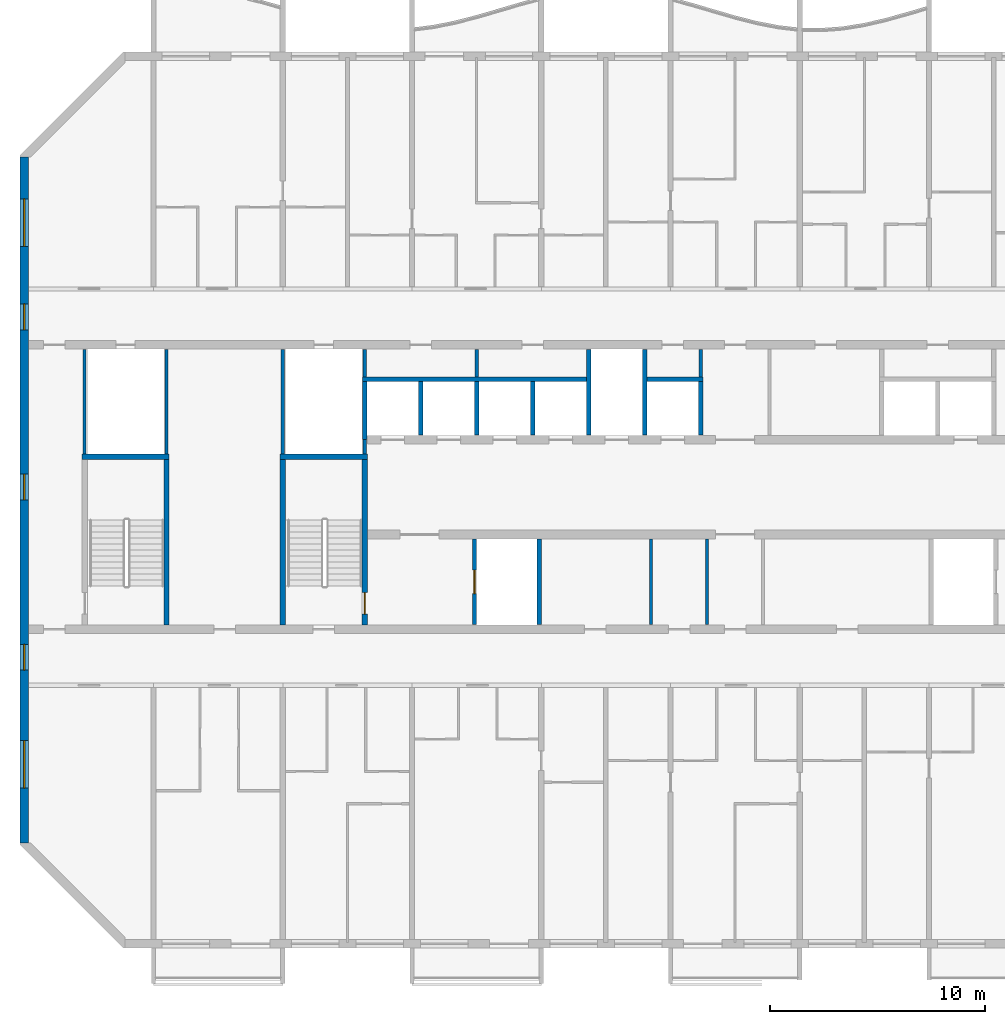
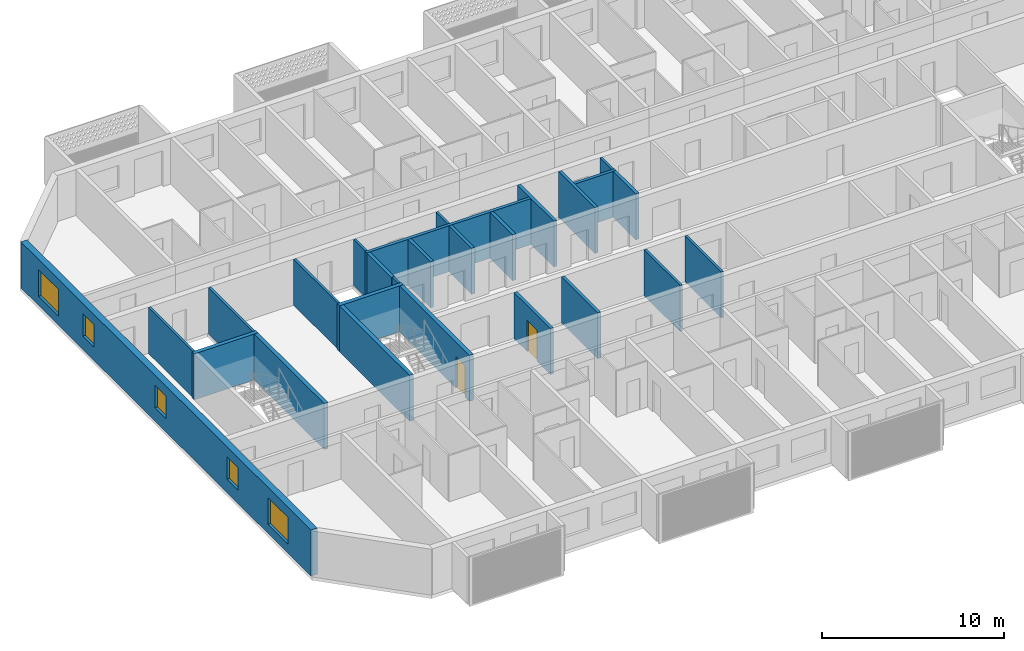
# One storey, part 3 of 26: 26 walls, 5 windows, 2 doors, 7 openings.
"""IFC4 building model written with IfcOpenShell, lengths in metres."""

from ifc_helpers import new_model, si_unit, direction, frame, frame_2d, origin, place, context, subcontext, project, spatial, rectangle, extrude, material, layer, layer_set, type_object, element, fill, save


model = new_model("IFC4")

# Units and contexts
model_context = context("Model", 3, precision=1e-05, world=origin(), true_north=direction((0.0, 1.0)))
body_context = subcontext(model_context, "Body", "Model", "MODEL_VIEW")
ifc_project = project(units=[si_unit("LENGTHUNIT", "METRE"), si_unit("AREAUNIT", "SQUARE_METRE"), si_unit("VOLUMEUNIT", "CUBIC_METRE"), si_unit("PLANEANGLEUNIT", "RADIAN"), si_unit("MASSUNIT", "GRAM", prefix="KILO")], contexts=[model_context])

# Site, building, storey
site_placement = place(None, origin())
site = spatial("IfcSite", under=ifc_project, at=site_placement, CompositionType="ELEMENT")
building_placement = place(site_placement, origin())
building = spatial("IfcBuilding", under=site, at=building_placement, Name="Poui Terraces", CompositionType="ELEMENT")
storey_placement = place(building_placement, frame((0.0, 0.0, 178.5)))
storey = spatial("IfcBuildingStorey", under=building, at=storey_placement, Name="L49", CompositionType="ELEMENT", Elevation=178.5)

# Walls
ifc_material_1 = material(Name="Fire-rated plasterboard wall")
ifc_layer_1 = layer(ifc_material_1, 0.14990234375)
ifc_layer_set_1 = layer_set([ifc_layer_1], Name="Fire-rated plasterboard wall")
wall_type_1 = type_object("IfcWallType", Name="CORRIDOR WALL 150", PredefinedType="PARTITIONING", material=ifc_layer_set_1)
wall_1_placement = place(storey_placement, frame((49.39990234375, 26.300048828125, 0.0), z_axis=(0.0, 0.0, 1.0), x_axis=(0.0, 1.0, 0.0)))
element("IfcWall", 1, at=wall_1_placement, inside=storey, type_object=wall_type_1, Name="CORRIDOR WALL 150", PredefinedType="PARTITIONING", context=body_context, shape_type="SweptSolid", body=[
    extrude(rectangle(XDim=1.2900390625, YDim=0.14990234375, at=frame_2d((0.64501953125, 0.0))), origin(), (0.0, 0.0, 1.0), 3.080078125),
])
wall_2_placement = place(storey_placement, frame((49.699951171875, 14.81005859375, 0.0), z_axis=(0.0, 0.0, 1.0), x_axis=(0.0, 1.0, 0.0)))
element("IfcWall", 2, at=wall_2_placement, inside=storey, type_object=wall_type_1, Name="CORRIDOR WALL 150", PredefinedType="PARTITIONING", context=body_context, shape_type="SweptSolid", body=[
    extrude(rectangle(XDim=3.97998046875, YDim=0.14990234375, at=frame_2d((1.989990234375, 0.0))), origin(), (0.0, 0.0, 1.0), 3.080078125),
])

# Wall, openings, windows
ifc_material_2 = material(Name="Concrete 50 MPa", Category="concrete")
ifc_layer_2 = layer(ifc_material_2, 0.39990234375)
ifc_layer_set_2 = layer_set([ifc_layer_2], Name="Concrete 50 MPa")
wall_type_2 = type_object("IfcWallType", Name="END WALL 400 50MPa", PredefinedType="SHEAR", material=ifc_layer_set_2)
wall_3_placement = place(storey_placement, frame((18.0, 4.682861328125, 0.0), z_axis=(0.0, 0.0, 1.0), x_axis=(0.0, 1.0, 0.0)))
wall_3 = element("IfcWall", 3, at=wall_3_placement, inside=storey, type_object=wall_type_2, Name="END WALL WEST", PredefinedType="SHEAR", context=body_context, shape_type="SweptSolid", body=[
    extrude(rectangle(XDim=31.834228515625, YDim=0.39990234375, at=frame_2d((15.9169921875, 0.0))), origin(), (0.0, 0.0, 1.0), 3.080078125),
])
opening_1_placement = place(wall_3_placement, frame((23.817138671875, 0.0, 0.89990234375)))
opening_1 = element("IfcOpeningElement", 4, at=opening_1_placement, cuts=wall_3, Name="Opening W2", PredefinedType="OPENING", context=body_context, shape_type="SweptSolid", body=[
    extrude(rectangle(XDim=1.199951171875, YDim=1.5, at=frame_2d((0.60009765625, 0.75))), frame((0.0, 0.2099609375, 0.0), z_axis=(0.0, -1.0, 0.0), x_axis=(1.0, 0.0, 0.0)), (0.0, 0.0, 1.0), 0.419921875),
])
opening_2_placement = place(wall_3_placement, frame((8.01708984375, 0.0, 0.89990234375)))
opening_2 = element("IfcOpeningElement", 5, at=opening_2_placement, cuts=wall_3, Name="Opening W2", PredefinedType="OPENING", context=body_context, shape_type="SweptSolid", body=[
    extrude(rectangle(XDim=1.199951171875, YDim=1.5, at=frame_2d((0.60009765625, 0.75))), frame((0.0, 0.2099609375, 0.0), z_axis=(0.0, -1.0, 0.0), x_axis=(1.0, 0.0, 0.0)), (0.0, 0.0, 1.0), 0.419921875),
])
opening_3_placement = place(wall_3_placement, frame((27.693603515625, 0.0, 0.60009765625)))
opening_3 = element("IfcOpeningElement", 6, at=opening_3_placement, cuts=wall_3, Name="Opening W3", PredefinedType="OPENING", context=body_context, shape_type="SweptSolid", body=[
    extrude(rectangle(XDim=2.199951171875, YDim=1.800048828125, at=frame_2d((1.10009765625, 0.89990234375))), frame((0.0, 0.2099609375, 0.0), z_axis=(0.0, -1.0, 0.0), x_axis=(1.0, 0.0, 0.0)), (0.0, 0.0, 1.0), 0.419921875),
])
opening_4_placement = place(wall_3_placement, frame((2.541015625, 0.0, 0.60009765625)))
opening_4 = element("IfcOpeningElement", 7, at=opening_4_placement, cuts=wall_3, Name="Opening W3", PredefinedType="OPENING", context=body_context, shape_type="SweptSolid", body=[
    extrude(rectangle(XDim=2.199951171875, YDim=1.800048828125, at=frame_2d((1.10009765625, 0.89990234375))), frame((0.0, 0.2099609375, 0.0), z_axis=(0.0, -1.0, 0.0), x_axis=(1.0, 0.0, 0.0)), (0.0, 0.0, 1.0), 0.419921875),
])
opening_5_placement = place(wall_3_placement, frame((15.917236328125, 0.0, 0.89990234375)))
opening_5 = element("IfcOpeningElement", 8, at=opening_5_placement, cuts=wall_3, Name="Opening W2", PredefinedType="OPENING", context=body_context, shape_type="SweptSolid", body=[
    extrude(rectangle(XDim=1.199951171875, YDim=1.5, at=frame_2d((0.60009765625, 0.75))), frame((0.0, 0.2099609375, 0.0), z_axis=(0.0, -1.0, 0.0), x_axis=(1.0, 0.0, 0.0)), (0.0, 0.0, 1.0), 0.419921875),
])
ifc_material_3 = material(Name="Clear glass in aluminium frame", Category="aluminium")
window_type_1 = type_object("IfcWindowType", Name="WINDOW 1200X1500", PartitioningType="SINGLE_PANEL", PredefinedType="WINDOW", material=ifc_material_3)
window_1_placement = place(opening_1_placement, origin())
window_1 = element("IfcWindow", 9, at=window_1_placement, inside=storey, type_object=window_type_1, Name="W2 WINDOW", OverallHeight=1.5, OverallWidth=1.199951171875, PartitioningType="SINGLE_PANEL", PredefinedType="WINDOW", context=body_context, shape_type="SweptSolid", body=[
    extrude(rectangle(XDim=1.199951171875, YDim=1.5, at=frame_2d((0.60009765625, 0.75))), frame((0.0, 0.030029296875, 0.0), z_axis=(0.0, -1.0, 0.0), x_axis=(1.0, 0.0, 0.0)), (0.0, 0.0, 1.0), 0.06005859375),
])
fill(opening_1, window_1)
window_2_placement = place(opening_2_placement, origin())
window_2 = element("IfcWindow", 10, at=window_2_placement, inside=storey, type_object=window_type_1, Name="W2 WINDOW", OverallHeight=1.5, OverallWidth=1.199951171875, PartitioningType="SINGLE_PANEL", PredefinedType="WINDOW", context=body_context, shape_type="SweptSolid", body=[
    extrude(rectangle(XDim=1.199951171875, YDim=1.5, at=frame_2d((0.60009765625, 0.75))), frame((0.0, 0.030029296875, 0.0), z_axis=(0.0, -1.0, 0.0), x_axis=(1.0, 0.0, 0.0)), (0.0, 0.0, 1.0), 0.06005859375),
])
fill(opening_2, window_2)
window_3_placement = place(opening_5_placement, origin())
window_3 = element("IfcWindow", 11, at=window_3_placement, inside=storey, type_object=window_type_1, Name="W2 WINDOW", OverallHeight=1.5, OverallWidth=1.199951171875, PartitioningType="SINGLE_PANEL", PredefinedType="WINDOW", context=body_context, shape_type="SweptSolid", body=[
    extrude(rectangle(XDim=1.199951171875, YDim=1.5, at=frame_2d((0.60009765625, 0.75))), frame((0.0, 0.030029296875, 0.0), z_axis=(0.0, -1.0, 0.0), x_axis=(1.0, 0.0, 0.0)), (0.0, 0.0, 1.0), 0.06005859375),
])
fill(opening_5, window_3)
window_type_2 = type_object("IfcWindowType", Name="WINDOW 2200X1800", PartitioningType="DOUBLE_PANEL_HORIZONTAL", PredefinedType="WINDOW", material=ifc_material_3)
window_4_placement = place(opening_3_placement, origin())
window_4 = element("IfcWindow", 12, at=window_4_placement, inside=storey, type_object=window_type_2, Name="W3 WINDOW", OverallHeight=1.800048828125, OverallWidth=2.199951171875, PartitioningType="DOUBLE_PANEL_HORIZONTAL", PredefinedType="WINDOW", context=body_context, shape_type="SweptSolid", body=[
    extrude(rectangle(XDim=2.199951171875, YDim=1.800048828125, at=frame_2d((1.10009765625, 0.89990234375))), frame((0.0, 0.030029296875, 0.0), z_axis=(0.0, -1.0, 0.0), x_axis=(1.0, 0.0, 0.0)), (0.0, 0.0, 1.0), 0.06005859375),
])
fill(opening_3, window_4)
window_5_placement = place(opening_4_placement, origin())
window_5 = element("IfcWindow", 13, at=window_5_placement, inside=storey, type_object=window_type_2, Name="W3 WINDOW", OverallHeight=1.800048828125, OverallWidth=2.199951171875, PartitioningType="DOUBLE_PANEL_HORIZONTAL", PredefinedType="WINDOW", context=body_context, shape_type="SweptSolid", body=[
    extrude(rectangle(XDim=2.199951171875, YDim=1.800048828125, at=frame_2d((1.10009765625, 0.89990234375))), frame((0.0, 0.030029296875, 0.0), z_axis=(0.0, -1.0, 0.0), x_axis=(1.0, 0.0, 0.0)), (0.0, 0.0, 1.0), 0.06005859375),
])
fill(opening_4, window_5)

# Walls
ifc_material_4 = material(Name="Plasterboard partition")
ifc_layer_3 = layer(ifc_material_4, 0.14990234375)
ifc_layer_set_3 = layer_set([ifc_layer_3], Name="Plasterboard partition")
wall_type_3 = type_object("IfcWallType", Name="PARTITION WALL 150", PredefinedType="PARTITIONING", material=ifc_layer_set_3)
wall_4_placement = place(storey_placement, frame((39.0, 26.300048828125, 0.0), z_axis=(0.0, 0.0, 1.0), x_axis=(0.0, 1.0, 0.0)))
element("IfcWall", 14, at=wall_4_placement, inside=storey, type_object=wall_type_3, Name="PARTITION WALL 150", PredefinedType="PARTITIONING", context=body_context, shape_type="SweptSolid", body=[
    extrude(rectangle(XDim=1.2900390625, YDim=0.14990234375, at=frame_2d((0.64501953125, 0.0))), origin(), (0.0, 0.0, 1.0), 3.080078125),
])
wall_5_placement = place(storey_placement, frame((47.10009765625, 14.81005859375, 0.0), z_axis=(0.0, 0.0, 1.0), x_axis=(0.0, 1.0, 0.0)))
element("IfcWall", 15, at=wall_5_placement, inside=storey, type_object=wall_type_3, Name="PARTITION WALL 150", PredefinedType="PARTITIONING", context=body_context, shape_type="SweptSolid", body=[
    extrude(rectangle(XDim=3.97998046875, YDim=0.14990234375, at=frame_2d((1.989990234375, 0.0))), origin(), (0.0, 0.0, 1.0), 3.080078125),
])
ifc_material_5 = material(Name="Fire-rated plasterboard riser wall")
ifc_layer_4 = layer(ifc_material_5, 0.14990234375)
ifc_layer_set_4 = layer_set([ifc_layer_4], Name="Fire-rated plasterboard riser wall")
wall_type_4 = type_object("IfcWallType", Name="RISER WALL 150", PredefinedType="PARTITIONING", material=ifc_layer_set_4)
for number, where, z_axis, x_axis, name in (
    (16, (20.800048828125, 22.735107421875, 0.0), (0.0, 0.0, 1.0), (0.0, 1.0, 0.0), "RISER WALL 150"),
    (17, (24.60009765625, 22.735107421875, 0.0), (0.0, 0.0, 1.0), (0.0, 1.0, 0.0), "RISER WALL 150"),
    (18, (30.0, 22.735107421875, 0.0), (0.0, 0.0, 1.0), (0.0, 1.0, 0.0), "RISER WALL 150"),
):
    element("IfcWall", number, at=place(storey_placement, frame(where, z_axis=z_axis, x_axis=x_axis)), inside=storey, type_object=wall_type_4, Name=name, PredefinedType="PARTITIONING", context=body_context, shape_type="SweptSolid", body=[
        extrude(rectangle(XDim=4.85498046875, YDim=0.14990234375, at=frame_2d((2.427490234375, 0.0))), origin(), (0.0, 0.0, 1.0), 3.080078125),
    ])
wall_6_placement = place(storey_placement, frame((33.800048828125, 22.735107421875, 0.0), z_axis=(0.0, 0.0, 1.0), x_axis=(0.0, 1.0, 0.0)))
element("IfcWall", 19, at=wall_6_placement, inside=storey, type_object=wall_type_4, Name="RISER WALL 150", PredefinedType="PARTITIONING", context=body_context, shape_type="SweptSolid", body=[
    extrude(rectangle(XDim=0.664794921875, YDim=0.14990234375, at=frame_2d((0.33251953125, 0.0))), origin(), (0.0, 0.0, 1.0), 3.080078125),
])
wall_7_placement = place(storey_placement, frame((33.800048828125, 26.300048828125, 0.0), z_axis=(0.0, 0.0, 1.0), x_axis=(0.0, 1.0, 0.0)))
element("IfcWall", 20, at=wall_7_placement, inside=storey, type_object=wall_type_4, Name="RISER WALL 150", PredefinedType="PARTITIONING", context=body_context, shape_type="SweptSolid", body=[
    extrude(rectangle(XDim=1.2900390625, YDim=0.14990234375, at=frame_2d((0.64501953125, 0.0))), origin(), (0.0, 0.0, 1.0), 3.080078125),
])
ifc_material_6 = material(Name="Fire-rated masonry shaft wall", Category="masonry")
ifc_layer_5 = layer(ifc_material_6, 0.199951171875)
ifc_layer_set_5 = layer_set([ifc_layer_5], Name="Fire-rated masonry shaft wall")
wall_type_5 = type_object("IfcWallType", Name="SHAFT WALL 200", PredefinedType="PARTITIONING", material=ifc_layer_set_5)
wall_8_placement = place(storey_placement, frame((33.699951171875, 26.199951171875, 0.0), z_axis=(0.0, 0.0, 1.0), x_axis=(1.0, 0.0, 0.0)))
element("IfcWall", 21, at=wall_8_placement, inside=storey, type_object=wall_type_5, Name="SHAFT WALL 200", PredefinedType="PARTITIONING", context=body_context, shape_type="SweptSolid", body=[
    extrude(rectangle(XDim=10.400146484375, YDim=0.199951171875, at=frame_2d((5.2001953125, 0.0))), origin(), (0.0, 0.0, 1.0), 3.080078125),
])
wall_9_placement = place(storey_placement, frame((46.89990234375, 26.199951171875, 0.0), z_axis=(0.0, 0.0, 1.0), x_axis=(1.0, 0.0, 0.0)))
element("IfcWall", 22, at=wall_9_placement, inside=storey, type_object=wall_type_5, Name="SHAFT WALL 200", PredefinedType="PARTITIONING", context=body_context, shape_type="SweptSolid", body=[
    extrude(rectangle(XDim=2.60009765625, YDim=0.199951171875, at=frame_2d((1.300048828125, 0.0))), origin(), (0.0, 0.0, 1.0), 3.080078125),
])
wall_10_placement = place(storey_placement, frame((33.800048828125, 23.39990234375, 0.0), z_axis=(0.0, 0.0, 1.0), x_axis=(0.0, 1.0, 0.0)))
element("IfcWall", 23, at=wall_10_placement, inside=storey, type_object=wall_type_5, Name="SHAFT WALL 200", PredefinedType="PARTITIONING", context=body_context, shape_type="SweptSolid", body=[
    extrude(rectangle(XDim=2.7001953125, YDim=0.199951171875, at=frame_2d((1.35009765625, 0.0))), origin(), (0.0, 0.0, 1.0), 3.080078125),
])
wall_11_placement = place(storey_placement, frame((36.39990234375, 23.610107421875, 0.0), z_axis=(0.0, 0.0, 1.0), x_axis=(0.0, 1.0, 0.0)))
element("IfcWall", 24, at=wall_11_placement, inside=storey, type_object=wall_type_5, Name="SHAFT WALL 200", PredefinedType="PARTITIONING", context=body_context, shape_type="SweptSolid", body=[
    extrude(rectangle(XDim=2.489990234375, YDim=0.199951171875, at=frame_2d((1.2451171875, 0.0))), origin(), (0.0, 0.0, 1.0), 3.080078125),
])

# Wall, opening, door
wall_12_placement = place(storey_placement, frame((38.89990234375, 14.81005859375, 0.0), z_axis=(0.0, 0.0, 1.0), x_axis=(0.0, 1.0, 0.0)))
wall_12 = element("IfcWall", 25, at=wall_12_placement, inside=storey, type_object=wall_type_5, Name="SHAFT WALL 200", PredefinedType="PARTITIONING", context=body_context, shape_type="SweptSolid", body=[
    extrude(rectangle(XDim=3.97998046875, YDim=0.199951171875, at=frame_2d((1.989990234375, 0.0))), origin(), (0.0, 0.0, 1.0), 3.080078125),
])
opening_6_placement = place(wall_12_placement, frame((1.43994140625, 0.0, 0.0)))
opening_6 = element("IfcOpeningElement", 26, at=opening_6_placement, cuts=wall_12, Name="Opening LD", PredefinedType="OPENING", context=body_context, shape_type="SweptSolid", body=[
    extrude(rectangle(XDim=1.10009765625, YDim=2.10009765625, at=frame_2d((0.550048828125, 1.050048828125))), frame((0.0, 0.10986328125, 0.0), z_axis=(0.0, -1.0, 0.0), x_axis=(1.0, 0.0, 0.0)), (0.0, 0.0, 1.0), 0.219970703125),
])
ifc_material_7 = material(Name="Stainless steel sliding door", Category="steel")
door_type_1 = type_object("IfcDoorType", Name="LIFT LANDING DOOR 1100 X 2100", OperationType="DOUBLE_DOOR_SLIDING", PredefinedType="DOOR", material=ifc_material_7)
door_1_placement = place(opening_6_placement, origin())
door_1 = element("IfcDoor", 27, at=door_1_placement, inside=storey, type_object=door_type_1, Name="LANDING DOOR", OperationType="DOUBLE_DOOR_SLIDING", OverallHeight=2.10009765625, OverallWidth=1.10009765625, PredefinedType="DOOR", context=body_context, shape_type="SweptSolid", body=[
    extrude(rectangle(XDim=1.10009765625, YDim=2.10009765625, at=frame_2d((0.550048828125, 1.050048828125))), frame((0.0, 0.02490234375, 0.0), z_axis=(0.0, -1.0, 0.0), x_axis=(1.0, 0.0, 0.0)), (0.0, 0.0, 1.0), 0.050048828125),
])
fill(opening_6, door_1)

# Walls
for number, where, z_axis, x_axis, name in (
    (28, (39.0, 23.610107421875, 0.0), (0.0, 0.0, 1.0), (0.0, 1.0, 0.0), "SHAFT WALL 200"),
    (29, (41.60009765625, 23.610107421875, 0.0), (0.0, 0.0, 1.0), (0.0, 1.0, 0.0), "SHAFT WALL 200"),
):
    element("IfcWall", number, at=place(storey_placement, frame(where, z_axis=z_axis, x_axis=x_axis)), inside=storey, type_object=wall_type_5, Name=name, PredefinedType="PARTITIONING", context=body_context, shape_type="SweptSolid", body=[
        extrude(rectangle(XDim=2.489990234375, YDim=0.199951171875, at=frame_2d((1.2451171875, 0.0))), origin(), (0.0, 0.0, 1.0), 3.080078125),
    ])
for number, where, z_axis, x_axis, name in (
    (30, (41.89990234375, 14.81005859375, 0.0), (0.0, 0.0, 1.0), (0.0, 1.0, 0.0), "SHAFT WALL 200"),
    (31, (44.199951171875, 23.610107421875, 0.0), (0.0, 0.0, 1.0), (0.0, 1.0, 0.0), "SHAFT WALL 200"),
    (32, (46.800048828125, 23.610107421875, 0.0), (0.0, 0.0, 1.0), (0.0, 1.0, 0.0), "SHAFT WALL 200"),
):
    element("IfcWall", number, at=place(storey_placement, frame(where, z_axis=z_axis, x_axis=x_axis)), inside=storey, type_object=wall_type_5, Name=name, PredefinedType="PARTITIONING", context=body_context, shape_type="SweptSolid", body=[
        extrude(rectangle(XDim=3.97998046875, YDim=0.199951171875, at=frame_2d((1.989990234375, 0.0))), origin(), (0.0, 0.0, 1.0), 3.080078125),
    ])
wall_13_placement = place(storey_placement, frame((49.39990234375, 23.610107421875, 0.0), z_axis=(0.0, 0.0, 1.0), x_axis=(0.0, 1.0, 0.0)))
element("IfcWall", 33, at=wall_13_placement, inside=storey, type_object=wall_type_5, Name="SHAFT WALL 200", PredefinedType="PARTITIONING", context=body_context, shape_type="SweptSolid", body=[
    extrude(rectangle(XDim=2.489990234375, YDim=0.199951171875, at=frame_2d((1.2451171875, 0.0))), origin(), (0.0, 0.0, 1.0), 3.080078125),
])
ifc_layer_6 = layer(ifc_material_2, 0.25)
ifc_layer_set_6 = layer_set([ifc_layer_6], Name="Concrete 50 MPa")
wall_type_6 = type_object("IfcWallType", Name="STAIR CORE WALL 250 50 MPA", PredefinedType="SOLIDWALL", material=ifc_layer_set_6)
wall_14_placement = place(storey_placement, frame((30.0, 14.800048828125, 0.0), z_axis=(0.0, 0.0, 1.0), x_axis=(0.0, 1.0, 0.0)))
element("IfcWall", 34, at=wall_14_placement, inside=storey, type_object=wall_type_6, Name="STAIR CORE WALL", PredefinedType="SOLIDWALL", context=body_context, shape_type="SweptSolid", body=[
    extrude(rectangle(XDim=7.675048828125, YDim=0.25, at=frame_2d((3.83740234375, 0.0))), origin(), (0.0, 0.0, 1.0), 3.080078125),
])

# Wall, opening, door
wall_15_placement = place(storey_placement, frame((33.800048828125, 14.800048828125, 0.0), z_axis=(0.0, 0.0, 1.0), x_axis=(0.0, 1.0, 0.0)))
wall_15 = element("IfcWall", 35, at=wall_15_placement, inside=storey, type_object=wall_type_6, Name="STAIR CORE WALL", PredefinedType="SOLIDWALL", context=body_context, shape_type="SweptSolid", body=[
    extrude(rectangle(XDim=7.675048828125, YDim=0.25, at=frame_2d((3.83740234375, 0.0))), origin(), (0.0, 0.0, 1.0), 3.080078125),
])
opening_7_placement = place(wall_15_placement, frame((0.5, 0.0, 0.0)))
opening_7 = element("IfcOpeningElement", 36, at=opening_7_placement, cuts=wall_15, Name="Opening FD60S", PredefinedType="OPENING", context=body_context, shape_type="SweptSolid", body=[
    extrude(rectangle(XDim=1.0, YDim=2.10009765625, at=frame_2d((0.5, 1.050048828125))), frame((0.0, 0.135009765625, 0.0), z_axis=(0.0, -1.0, 0.0), x_axis=(1.0, 0.0, 0.0)), (0.0, 0.0, 1.0), 0.27001953125),
])
ifc_material_8 = material(Name="Steel fire door", Category="steel")
door_type_2 = type_object("IfcDoorType", Name="STAIR DOOR 1000 X 2100", OperationType="NOTDEFINED", PredefinedType="DOOR", material=ifc_material_8)
door_2_placement = place(opening_7_placement, origin())
door_2 = element("IfcDoor", 37, at=door_2_placement, inside=storey, type_object=door_type_2, Name="STAIR DOOR 097", OperationType="SINGLE_SWING_LEFT", OverallHeight=2.10009765625, OverallWidth=1.0, PredefinedType="DOOR", context=body_context, shape_type="SweptSolid", body=[
    extrude(rectangle(XDim=1.0, YDim=2.10009765625, at=frame_2d((0.5, 1.050048828125))), frame((0.0, 0.02490234375, 0.0), z_axis=(0.0, -1.0, 0.0), x_axis=(1.0, 0.0, 0.0)), (0.0, 0.0, 1.0), 0.050048828125),
])
fill(opening_7, door_2)

# Walls
wall_16_placement = place(storey_placement, frame((29.875, 22.60009765625, 0.0), z_axis=(0.0, 0.0, 1.0), x_axis=(1.0, 0.0, 0.0)))
element("IfcWall", 38, at=wall_16_placement, inside=storey, type_object=wall_type_6, Name="STAIR CORE WALL", PredefinedType="SOLIDWALL", context=body_context, shape_type="SweptSolid", body=[
    extrude(rectangle(XDim=4.050048828125, YDim=0.25, at=frame_2d((2.02490234375, 0.0))), origin(), (0.0, 0.0, 1.0), 3.080078125),
])
wall_17_placement = place(storey_placement, frame((24.60009765625, 14.800048828125, 0.0), z_axis=(0.0, 0.0, 1.0), x_axis=(0.0, 1.0, 0.0)))
element("IfcWall", 39, at=wall_17_placement, inside=storey, type_object=wall_type_6, Name="STAIR CORE WALL", PredefinedType="SOLIDWALL", context=body_context, shape_type="SweptSolid", body=[
    extrude(rectangle(XDim=7.675048828125, YDim=0.25, at=frame_2d((3.83740234375, 0.0))), origin(), (0.0, 0.0, 1.0), 3.080078125),
])
wall_18_placement = place(storey_placement, frame((20.675048828125, 22.60009765625, 0.0), z_axis=(0.0, 0.0, 1.0), x_axis=(1.0, 0.0, 0.0)))
element("IfcWall", 40, at=wall_18_placement, inside=storey, type_object=wall_type_6, Name="STAIR CORE WALL", PredefinedType="SOLIDWALL", context=body_context, shape_type="SweptSolid", body=[
    extrude(rectangle(XDim=4.050048828125, YDim=0.25, at=frame_2d((2.02490234375, 0.0))), origin(), (0.0, 0.0, 1.0), 3.080078125),
])

save(model, "model.ifc")
